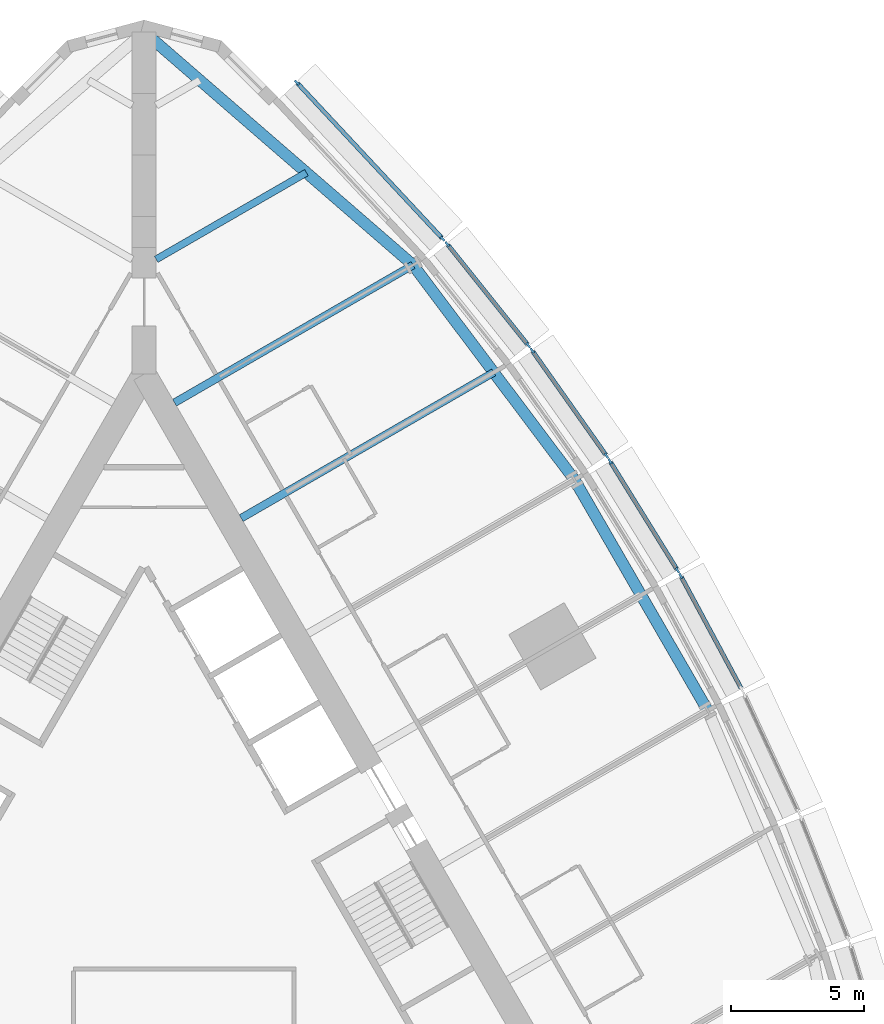
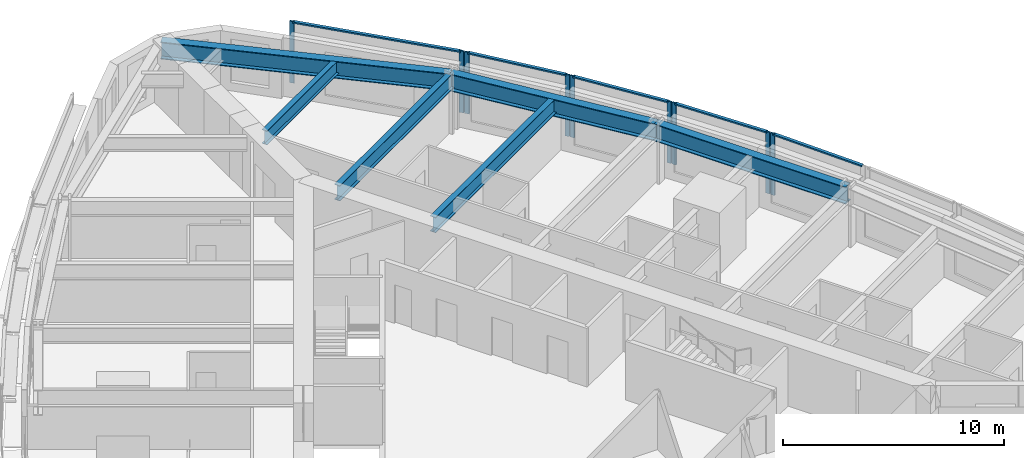
# One storey, part 5 of 14: 14 members, 6 beams, 5 elements without a shape of their own.
"""IFC4 building model written with IfcOpenShell, lengths in metres."""

import ifcopenshell
import ifcopenshell.guid

model = None  # the IFC model being written
_history = None  # IfcOwnerHistory: only IFC2X3 demands one
_inside = {}  # id of a spatial element -> (the spatial element, [elements in it])
_under = {}  # id of a project, library or spatial element -> (it, [spatial elements below it])
_declared = {}  # id of a project -> (the project, [libraries it declares])
_typed = {}  # id of a type object -> (the type object, [elements of that type])
_made_of = {}  # id of a material, layer set ... -> (it, [elements and type objects made of it])


def new_model(schema):
    """Start an empty IFC model of exactly this schema.

    Asked for "IFC4X3", IfcOpenShell would pick the latest addendum, in which some entities
    have other attributes; the version numbers below select the first issue.
    IFC2X3 requires an IfcOwnerHistory on every rooted entity: one is made here for all.
    """
    global model, _history
    if schema == "IFC4X3":
        model = ifcopenshell.file(schema_version=(4, 3, 0, 0))
    else:
        model = ifcopenshell.file(schema=schema)
    _inside.clear()
    _under.clear()
    _declared.clear()
    _typed.clear()
    _made_of.clear()
    _history = None
    if model.schema == "IFC2X3":
        org = make("IfcOrganization", Name="unknown")
        user = make(
            "IfcPersonAndOrganization",
            ThePerson=make("IfcPerson", FamilyName="unknown"),
            TheOrganization=org,
        )
        app = make(
            "IfcApplication",
            ApplicationDeveloper=org,
            Version="unknown",
            ApplicationFullName="unknown",
            ApplicationIdentifier="unknown",
        )
        _history = make(
            "IfcOwnerHistory",
            OwningUser=user,
            OwningApplication=app,
            ChangeAction="ADDED",
            CreationDate=0,
        )
    return model


def make(cls, **values):
    """One entity of the class cls with the attributes given. An attribute that is None is left unset."""
    return model.create_entity(
        cls, **{name: value for name, value in values.items() if value is not None}
    )


def rooted(cls, **values):
    """An entity with a GlobalId (a new one), such as an element, a storey or a relation."""
    return make(cls, GlobalId=ifcopenshell.guid.new(), OwnerHistory=_history, **values)


def si_unit(unit_type, name, prefix=None):
    """IfcSIUnit, for example si_unit("LENGTHUNIT", "METRE", prefix="MILLI")."""
    return make("IfcSIUnit", UnitType=unit_type, Prefix=prefix, Name=name)


def assignment(units):
    """IfcUnitAssignment: the units of a project."""
    return None if units is None else make("IfcUnitAssignment", Units=units)


def point(xyz):
    """IfcCartesianPoint."""
    return None if xyz is None else make("IfcCartesianPoint", Coordinates=xyz)


def direction(xyz):
    """IfcDirection."""
    return None if xyz is None else make("IfcDirection", DirectionRatios=xyz)


def frame(location, z_axis=None, x_axis=None):
    """IfcAxis2Placement3D, a coordinate frame: its origin and axes. An axis left out is left unset."""
    return make(
        "IfcAxis2Placement3D",
        Location=point(location),
        Axis=direction(z_axis),
        RefDirection=direction(x_axis),
    )


def frame_2d(location, x_axis=None):
    """IfcAxis2Placement2D, a coordinate frame in the plane: its origin and x axis."""
    return make(
        "IfcAxis2Placement2D", Location=point(location), RefDirection=direction(x_axis)
    )


def origin():
    """The frame at (0, 0, 0) with its axes left unset."""
    return frame((0.0, 0.0, 0.0))


def origin_2d():
    """The frame at (0, 0) in the plane with its x axis left unset."""
    return frame_2d((0.0, 0.0))


def place(relative_to, where):
    """IfcLocalPlacement: puts the frame where relative to a parent placement (None: the world)."""
    return make(
        "IfcLocalPlacement", PlacementRelTo=relative_to, RelativePlacement=where
    )


def context(
    kind, dimensions, precision=None, world=None, true_north=None, identifier=None
):
    """IfcGeometricRepresentationContext, for example the 3D "Model" context."""
    return make(
        "IfcGeometricRepresentationContext",
        ContextIdentifier=identifier,
        ContextType=kind,
        CoordinateSpaceDimension=dimensions,
        Precision=precision,
        WorldCoordinateSystem=world,
        TrueNorth=true_north,
    )


def subcontext(parent, identifier, kind, view, scale=None):
    """IfcGeometricRepresentationSubContext, for example "Body" below "Model"."""
    return make(
        "IfcGeometricRepresentationSubContext",
        ContextIdentifier=identifier,
        ContextType=kind,
        ParentContext=parent,
        TargetScale=scale,
        TargetView=view,
    )


def project(units=None, contexts=None):
    """IfcProject with its units and contexts."""
    return rooted(
        "IfcProject",
        Name="project",
        RepresentationContexts=contexts,
        UnitsInContext=assignment(units),
    )


def spatial(cls, under=None, at=None, **own):
    """A site, building, storey or space (cls), placed at a placement, below another one or the project."""
    s = rooted(cls, ObjectPlacement=at, **own)
    if under is not None:
        _under.setdefault(under.id(), (under, []))[1].append(s)
    return s


def profile(cls, at=None, kind="AREA", **sizes):
    """A parametric profile (cls). Its sizes go by their IFC names, for example OverallWidth=200.0."""
    return make(cls, ProfileType=kind, Position=at, **sizes)


def rectangle(**sizes):
    """IfcRectangleProfileDef."""
    return profile("IfcRectangleProfileDef", **sizes)


def i_section(**sizes):
    """IfcIShapeProfileDef."""
    return profile("IfcIShapeProfileDef", **sizes)


def extrude(swept, where, along, depth):
    """IfcExtrudedAreaSolid: the profile swept, set in the frame where, extruded along a direction by depth."""
    return make(
        "IfcExtrudedAreaSolid",
        SweptArea=swept,
        Position=where,
        ExtrudedDirection=direction(along),
        Depth=depth,
    )


def shape(context_of_items, identifier, shape_type, items):
    """IfcShapeRepresentation: the items that make up one representation, for example the "Body"."""
    return make(
        "IfcShapeRepresentation",
        ContextOfItems=context_of_items,
        RepresentationIdentifier=identifier,
        RepresentationType=shape_type,
        Items=items,
    )


def material(Name=None, Category=None):
    """IfcMaterial."""
    return make("IfcMaterial", Name=Name, Category=Category)


def material_profile(
    of_material, cross_section, Name=None, Category=None, Priority=None
):
    """IfcMaterialProfile: a cross section and its material."""
    return make(
        "IfcMaterialProfile",
        Name=Name,
        Material=of_material,
        Profile=cross_section,
        Priority=Priority,
        Category=Category,
    )


def profile_set(profiles, Name=None, composite=None):
    """IfcMaterialProfileSet."""
    return make(
        "IfcMaterialProfileSet",
        Name=Name,
        MaterialProfiles=profiles,
        CompositeProfile=composite,
    )


def made_of(thing, what):
    """Note that an element or type object is made of a material, layer set ...; save() writes the relation."""
    if what is not None:
        _made_of.setdefault(what.id(), (what, []))[1].append(thing)
    return thing


def type_object(cls, material=None, **own):
    """A type object (cls), such as IfcWallType, which elements share."""
    return made_of(rooted(cls, **own), material)


def element(
    cls,
    number,
    at=None,
    inside=None,
    cuts=None,
    type_object=None,
    material=None,
    context=None,
    identifier="Body",
    shape_type=None,
    held_by="IfcProductDefinitionShape",
    body=None,
    shapes=None,
    **own,
):
    """One element of the class cls, such as IfcWall. Its Tag is "e" and its number.

    at: its placement. inside: the storey or other place that contains it. cuts: it is an
    opening in that element (IfcRelVoidsElement). A single representation is given by context,
    identifier, shape_type and body (its items); several are given by shapes. held_by: the class
    of the entity that holds the representations. save() writes the other relations.
    """
    e = rooted(cls, Tag="e%d" % number, ObjectPlacement=at, **own)
    if body is not None:
        shapes = [shape(context, identifier, shape_type, body)]
    if shapes is not None:
        e.Representation = make(held_by, Representations=shapes)
    if inside is not None:
        _inside.setdefault(inside.id(), (inside, []))[1].append(e)
    if cuts is not None:
        rooted(
            "IfcRelVoidsElement", RelatingBuildingElement=cuts, RelatedOpeningElement=e
        )
    if type_object is not None:
        _typed.setdefault(type_object.id(), (type_object, []))[1].append(e)
    return made_of(e, material)


def aggregate(whole, parts):
    """IfcRelAggregates: a whole, such as a stair, and the parts it consists of."""
    return rooted("IfcRelAggregates", RelatingObject=whole, RelatedObjects=parts)


def save(model, path):
    """Write the relations noted so far, then the file.

    IfcRelAggregates (storeys below a building ...), IfcRelContainedInSpatialStructure (elements
    in a storey), IfcRelDefinesByType, IfcRelAssociatesMaterial and IfcRelDeclares: one each for
    every whole, place, type object, material and project.
    """
    for whole, parts in _under.values():
        aggregate(whole, parts)
    for where, things in _inside.values():
        rooted(
            "IfcRelContainedInSpatialStructure",
            RelatedElements=things,
            RelatingStructure=where,
        )
    for kind, things in _typed.values():
        rooted("IfcRelDefinesByType", RelatedObjects=things, RelatingType=kind)
    for what, things in _made_of.values():
        rooted("IfcRelAssociatesMaterial", RelatedObjects=things, RelatingMaterial=what)
    for by, libraries in _declared.values():
        rooted("IfcRelDeclares", RelatingContext=by, RelatedDefinitions=libraries)
    model.write(path)


model = new_model("IFC4")

# Units and contexts
model_context = context("Model", 3, precision=1e-05, world=origin(), true_north=direction((0.0, 1.0)))
body_context = subcontext(model_context, "Body", "Model", "MODEL_VIEW")
ifc_project = project(units=[si_unit("LENGTHUNIT", "METRE"), si_unit("AREAUNIT", "SQUARE_METRE"), si_unit("VOLUMEUNIT", "CUBIC_METRE"), si_unit("PLANEANGLEUNIT", "RADIAN"), si_unit("MASSUNIT", "GRAM", prefix="KILO")], contexts=[model_context])

# Site, building, storey
site_placement = place(None, origin())
site = spatial("IfcSite", under=ifc_project, at=site_placement, CompositionType="ELEMENT")
building_placement = place(site_placement, origin())
building = spatial("IfcBuilding", under=site, at=building_placement, Name="Trikona Tower", CompositionType="ELEMENT")
storey_placement = place(building_placement, frame((0.0, 0.0, 35.300048828125)))
storey = spatial("IfcBuildingStorey", under=building, at=storey_placement, Name="L07", CompositionType="ELEMENT", Elevation=35.300048828125)

# Curtain wall, member
ifc_material_1 = material(Name="Aluminium curtain wall system", Category="aluminium")
curtain_wall_type = type_object("IfcCurtainWallType", Name="Curtain wall DS1", PredefinedType="NOTDEFINED", material=ifc_material_1)
curtain_wall_1_placement = place(storey_placement, origin())
curtain_wall_1 = element("IfcCurtainWall", 1, at=curtain_wall_1_placement, inside=storey, type_object=curtain_wall_type, Name="Curtain wall DS1 L07", PredefinedType="NOTDEFINED")
ifc_material_2 = material(Name="Aluminium mullion, pale anodised", Category="aluminium")
ifc_material_profile_1 = material_profile(ifc_material_2, rectangle(XDim=0.080078125, YDim=0.219970703125, at=origin_2d()), Name="MUL-DS1")
ifc_profile_set_1 = profile_set([ifc_material_profile_1], Name="Aluminium mullion, pale anodised")
member_type_1 = type_object("IfcMemberType", Name="Mullion DS1 80x220", PredefinedType="MULLION", material=ifc_profile_set_1)
member_1_placement = place(storey_placement, frame((20.128662109375, 11.474365234375, 0.0), z_axis=(0.0, 0.0, 1.0), x_axis=(-0.880843080975, -0.473408350896, 0.0)))
member_1 = element("IfcMember", 2, at=member_1_placement, type_object=member_type_1, Name="CW-DS1 mullion 2", PredefinedType="MULLION", context=body_context, shape_type="SweptSolid", body=[
    extrude(rectangle(XDim=0.080078125, YDim=0.219970703125, at=origin_2d()), origin(), (0.0, 0.0, 1.0), 3.39990234375),
])

# Curtain wall, members
curtain_wall_2_placement = place(storey_placement, origin())
curtain_wall_2 = element("IfcCurtainWall", 3, at=curtain_wall_2_placement, inside=storey, type_object=curtain_wall_type, Name="Curtain wall DS1 L07", PredefinedType="NOTDEFINED")
member_2_placement = place(storey_placement, frame((20.00146484375, 11.69482421875, 0.0), z_axis=(0.0, 0.0, 1.0), x_axis=(-0.850410468941, -0.526119790842, 0.0)))
member_2 = element("IfcMember", 4, at=member_2_placement, type_object=member_type_1, Name="CW-DS1 mullion 1", PredefinedType="MULLION", context=body_context, shape_type="SweptSolid", body=[
    extrude(rectangle(XDim=0.080078125, YDim=0.219970703125, at=origin_2d()), origin(), (0.0, 0.0, 1.0), 3.39990234375),
])
member_3_placement = place(storey_placement, frame((17.474853515625, 15.77880859375, 0.0), z_axis=(0.0, 0.0, 1.0), x_axis=(-0.850410468941, -0.526119790842, 0.0)))
member_3 = element("IfcMember", 5, at=member_3_placement, type_object=member_type_1, Name="CW-DS1 mullion 2", PredefinedType="MULLION", context=body_context, shape_type="SweptSolid", body=[
    extrude(rectangle(XDim=0.080078125, YDim=0.219970703125, at=origin_2d()), origin(), (0.0, 0.0, 1.0), 3.39990234375),
])

curtain_wall_3_placement = place(storey_placement, origin())
curtain_wall_3 = element("IfcCurtainWall", 6, at=curtain_wall_3_placement, inside=storey, type_object=curtain_wall_type, Name="Curtain wall DS1 L07", PredefinedType="NOTDEFINED")
member_4_placement = place(storey_placement, frame((17.33447265625, 15.990966796875, 0.0), z_axis=(0.0, 0.0, 1.0), x_axis=(-0.816985393055, -0.576658362928, 0.0)))
member_4 = element("IfcMember", 7, at=member_4_placement, type_object=member_type_1, Name="CW-DS1 mullion 1", PredefinedType="MULLION", context=body_context, shape_type="SweptSolid", body=[
    extrude(rectangle(XDim=0.080078125, YDim=0.219970703125, at=origin_2d()), origin(), (0.0, 0.0, 1.0), 3.39990234375),
])
member_5_placement = place(storey_placement, frame((14.554443359375, 19.929443359375, 0.0), z_axis=(0.0, 0.0, 1.0), x_axis=(-0.816985393055, -0.576658362928, 0.0)))
member_5 = element("IfcMember", 8, at=member_5_placement, type_object=member_type_1, Name="CW-DS1 mullion 2", PredefinedType="MULLION", context=body_context, shape_type="SweptSolid", body=[
    extrude(rectangle(XDim=0.080078125, YDim=0.219970703125, at=origin_2d()), origin(), (0.0, 0.0, 1.0), 3.39990234375),
])

curtain_wall_4_placement = place(storey_placement, origin())
curtain_wall_4 = element("IfcCurtainWall", 9, at=curtain_wall_4_placement, inside=storey, type_object=curtain_wall_type, Name="Curtain wall DS1 L07", PredefinedType="NOTDEFINED")
member_6_placement = place(storey_placement, frame((14.40185546875, 20.13232421875, 0.0), z_axis=(0.0, 0.0, 1.0), x_axis=(-0.780937959679, -0.624608599951, 0.0)))
member_6 = element("IfcMember", 10, at=member_6_placement, type_object=member_type_1, Name="CW-DS1 mullion 1", PredefinedType="MULLION", context=body_context, shape_type="SweptSolid", body=[
    extrude(rectangle(XDim=0.080078125, YDim=0.219970703125, at=origin_2d()), origin(), (0.0, 0.0, 1.0), 3.39990234375),
])
member_7_placement = place(storey_placement, frame((11.36767578125, 23.926025390625, 0.0), z_axis=(0.0, 0.0, 1.0), x_axis=(-0.780937959679, -0.624608599951, 0.0)))
member_7 = element("IfcMember", 11, at=member_7_placement, type_object=member_type_1, Name="CW-DS1 mullion 2", PredefinedType="MULLION", context=body_context, shape_type="SweptSolid", body=[
    extrude(rectangle(XDim=0.080078125, YDim=0.219970703125, at=origin_2d()), origin(), (0.0, 0.0, 1.0), 3.39990234375),
])

curtain_wall_5_placement = place(storey_placement, origin())
curtain_wall_5 = element("IfcCurtainWall", 12, at=curtain_wall_5_placement, inside=storey, type_object=curtain_wall_type, Name="Curtain wall DS1 L07", PredefinedType="NOTDEFINED")
member_8_placement = place(storey_placement, frame((11.192138671875, 24.129150390625, 0.0), z_axis=(0.0, 0.0, 1.0), x_axis=(-0.731076639405, -0.682295351967, 0.0)))
member_8 = element("IfcMember", 13, at=member_8_placement, type_object=member_type_1, Name="CW-DS1 mullion 1", PredefinedType="MULLION", context=body_context, shape_type="SweptSolid", body=[
    extrude(rectangle(XDim=0.080078125, YDim=0.219970703125, at=origin_2d()), origin(), (0.0, 0.0, 1.0), 3.39990234375),
])
member_9_placement = place(storey_placement, frame((5.72607421875, 29.98583984375, 0.0), z_axis=(0.0, 0.0, 1.0), x_axis=(-0.731076639405, -0.682295351967, 0.0)))
member_9 = element("IfcMember", 14, at=member_9_placement, type_object=member_type_1, Name="CW-DS1 mullion 2", PredefinedType="MULLION", context=body_context, shape_type="SweptSolid", body=[
    extrude(rectangle(XDim=0.080078125, YDim=0.219970703125, at=origin_2d()), origin(), (0.0, 0.0, 1.0), 3.39990234375),
])

# Beams
ifc_material_3 = material(Name="Steel ASTM A992 Grade 50", Category="steel")
ifc_material_profile_2 = material_profile(ifc_material_3, i_section(OverallWidth=0.2666015625, OverallDepth=0.76953125, WebThickness=0.015625, FlangeThickness=0.025390625, at=origin_2d()), Name="W30X132")
ifc_profile_set_2 = profile_set([ifc_material_profile_2], Name="Steel ASTM A992 Grade 50")
beam_type_1 = type_object("IfcBeamType", Name="Steel beam W30x132 (wedge)", PredefinedType="BEAM", material=ifc_profile_set_2)
beam_1_placement = place(storey_placement, frame((0.449951171875, 23.353759765625, 2.85009765625), z_axis=(0.866022504693, 0.50000502134, 0.0), x_axis=(-0.50000502134, 0.866022504693, 0.0)))
element("IfcBeam", 15, at=beam_1_placement, inside=storey, type_object=beam_type_1, Name="Floor beam L08 F2 u20", PredefinedType="BEAM", context=body_context, shape_type="SweptSolid", body=[
    extrude(i_section(OverallWidth=0.2666015625, OverallDepth=0.76953125, WebThickness=0.015625, FlangeThickness=0.025390625, at=origin_2d()), origin(), (0.0, 0.0, 1.0), 6.5068359375),
])
ifc_material_4 = material(Name="Steel ASTM A992 Grade 50", Category="steel")
ifc_material_profile_3 = material_profile(ifc_material_4, i_section(OverallWidth=0.2919921875, OverallDepth=0.845703125, WebThickness=0.015380859375, FlangeThickness=0.0244140625, at=origin_2d()), Name="W33X141")
ifc_profile_set_3 = profile_set([ifc_material_profile_3], Name="Steel ASTM A992 Grade 50")
beam_type_2 = type_object("IfcBeamType", Name="Steel beam W33x141 (radial typ)", PredefinedType="BEAM", material=ifc_profile_set_3)
beam_2_placement = place(storey_placement, frame((3.6396484375, 13.6484375, 2.81201171875), z_axis=(0.866025348605, 0.500000095573, 0.0), x_axis=(-0.500000095573, 0.866025348605, 0.0)))
element("IfcBeam", 16, at=beam_2_placement, inside=storey, type_object=beam_type_2, Name="Floor beam L08 F2 u10", PredefinedType="BEAM", context=body_context, shape_type="SweptSolid", body=[
    extrude(i_section(OverallWidth=0.2919921875, OverallDepth=0.845703125, WebThickness=0.015380859375, FlangeThickness=0.0244140625, at=origin_2d()), origin(), (0.0, 0.0, 1.0), 10.935546875),
])
beam_3_placement = place(storey_placement, frame((1.1396484375, 17.978515625, 2.81201171875), z_axis=(0.866030471684, 0.499991222037, 0.0), x_axis=(-0.499991222037, 0.866030471684, 0.0)))
element("IfcBeam", 17, at=beam_3_placement, inside=storey, type_object=beam_type_2, Name="Floor beam L08 F2 u15", PredefinedType="BEAM", context=body_context, shape_type="SweptSolid", body=[
    extrude(i_section(OverallWidth=0.2919921875, OverallDepth=0.845703125, WebThickness=0.015380859375, FlangeThickness=0.0244140625, at=origin_2d()), origin(), (0.0, 0.0, 1.0), 10.326904296875),
])
ifc_material_5 = material(Name="Steel ASTM A992 Grade 50", Category="steel")
ifc_material_profile_4 = material_profile(ifc_material_5, i_section(OverallWidth=0.424072265625, OverallDepth=0.947509765625, WebThickness=0.02392578125, FlangeThickness=0.042724609375, at=origin_2d()), Name="W36X302")
ifc_profile_set_4 = profile_set([ifc_material_profile_4], Name="Steel ASTM A992 Grade 50")
beam_type_3 = type_object("IfcBeamType", Name="Steel beam W36x302 (spandrel)", PredefinedType="SPANDREL", material=ifc_profile_set_4)
beam_4_placement = place(storey_placement, frame((21.13720703125, 6.43017578125, 2.76123046875), z_axis=(-0.500004234368, 0.866022959057, 0.0), x_axis=(-0.866022959057, -0.500004234368, 0.0)))
element("IfcBeam", 18, at=beam_4_placement, inside=storey, type_object=beam_type_3, Name="Spandrel beam L08 F2-3", PredefinedType="SPANDREL", context=body_context, shape_type="SweptSolid", body=[
    extrude(i_section(OverallWidth=0.424072265625, OverallDepth=0.947509765625, WebThickness=0.02392578125, FlangeThickness=0.042724609375, at=origin_2d()), origin(), (0.0, 0.0, 1.0), 10.0),
])
beam_5_placement = place(storey_placement, frame((16.13720703125, 15.09033203125, 2.76123046875), z_axis=(-0.600988344191, 0.799257787042, 0.0), x_axis=(-0.799257787042, -0.600988344191, 0.0)))
element("IfcBeam", 19, at=beam_5_placement, inside=storey, type_object=beam_type_3, Name="Spandrel beam L08 F2-4", PredefinedType="SPANDREL", context=body_context, shape_type="SweptSolid", body=[
    extrude(i_section(OverallWidth=0.424072265625, OverallDepth=0.947509765625, WebThickness=0.02392578125, FlangeThickness=0.042724609375, at=origin_2d()), origin(), (0.0, 0.0, 1.0), 10.07373046875),
])
beam_6_placement = place(storey_placement, frame((10.0830078125, 23.141845703125, 2.76123046875), z_axis=(-0.755646822726, 0.654979296851, 0.0), x_axis=(-0.654979296851, -0.755646822726, 0.0)))
element("IfcBeam", 20, at=beam_6_placement, inside=storey, type_object=beam_type_3, Name="Spandrel beam L08 F2-5", PredefinedType="SPANDREL", context=body_context, shape_type="SweptSolid", body=[
    extrude(i_section(OverallWidth=0.424072265625, OverallDepth=0.947509765625, WebThickness=0.02392578125, FlangeThickness=0.042724609375, at=origin_2d()), origin(), (0.0, 0.0, 1.0), 13.343505859375),
])

# Member
ifc_material_6 = material(Name="Aluminium transom, pale anodised", Category="aluminium")
ifc_material_profile_5 = material_profile(ifc_material_6, rectangle(XDim=0.159912109375, YDim=0.080078125, at=origin_2d()), Name="TRN-DS1")
ifc_profile_set_5 = profile_set([ifc_material_profile_5], Name="Aluminium transom, pale anodised")
member_type_2 = type_object("IfcMemberType", Name="Transom DS1 80x160", PredefinedType="USERDEFINED", material=ifc_profile_set_5)
member_10_placement = place(storey_placement, frame((22.38330078125, 7.279541015625, 3.35986328125), z_axis=(-0.473427569755, 0.880832751546, 0.0), x_axis=(-0.880832751546, -0.473427569755, 0.0)))
member_10 = element("IfcMember", 21, at=member_10_placement, type_object=member_type_2, Name="CW-DS1 transom 1.1", ObjectType="TRANSOM", PredefinedType="USERDEFINED", context=body_context, shape_type="SweptSolid", body=[
    extrude(rectangle(XDim=0.159912109375, YDim=0.080078125, at=origin_2d()), origin(), (0.0, 0.0, 1.0), 4.72216796875),
])

aggregate(curtain_wall_1, [member_1, member_10])

member_11_placement = place(storey_placement, frame((19.980224609375, 11.728759765625, 3.35986328125), z_axis=(-0.526080502257, 0.850434774186, 0.0), x_axis=(-0.850434774186, -0.526080502257, 0.0)))
member_11 = element("IfcMember", 22, at=member_11_placement, type_object=member_type_2, Name="CW-DS1 transom 1.1", ObjectType="TRANSOM", PredefinedType="USERDEFINED", context=body_context, shape_type="SweptSolid", body=[
    extrude(rectangle(XDim=0.159912109375, YDim=0.080078125, at=origin_2d()), origin(), (0.0, 0.0, 1.0), 4.722412109375),
])

aggregate(curtain_wall_2, [member_2, member_3, member_11])

member_12_placement = place(storey_placement, frame((17.311279296875, 16.023681640625, 3.35986328125), z_axis=(-0.57664478015, 0.816994980111, 0.0), x_axis=(-0.816994980111, -0.57664478015, 0.0)))
member_12 = element("IfcMember", 23, at=member_12_placement, type_object=member_type_2, Name="CW-DS1 transom 1.1", ObjectType="TRANSOM", PredefinedType="USERDEFINED", context=body_context, shape_type="SweptSolid", body=[
    extrude(rectangle(XDim=0.159912109375, YDim=0.080078125, at=origin_2d()), origin(), (0.0, 0.0, 1.0), 4.740478515625),
])

aggregate(curtain_wall_3, [member_4, member_5, member_12])

member_13_placement = place(storey_placement, frame((14.376953125, 20.16357421875, 3.35986328125), z_axis=(-0.624589103832, 0.780953552636, 0.0), x_axis=(-0.780953552636, -0.624589103832, 0.0)))
member_13 = element("IfcMember", 24, at=member_13_placement, type_object=member_type_2, Name="CW-DS1 transom 1.1", ObjectType="TRANSOM", PredefinedType="USERDEFINED", context=body_context, shape_type="SweptSolid", body=[
    extrude(rectangle(XDim=0.159912109375, YDim=0.080078125, at=origin_2d()), origin(), (0.0, 0.0, 1.0), 4.77783203125),
])

aggregate(curtain_wall_4, [member_6, member_7, member_13])

member_14_placement = place(storey_placement, frame((11.164794921875, 24.158203125, 3.35986328125), z_axis=(-0.682290830921, 0.731080858758, 0.0), x_axis=(-0.731080858758, -0.682290830921, 0.0)))
member_14 = element("IfcMember", 25, at=member_14_placement, type_object=member_type_2, Name="CW-DS1 transom 1.1", ObjectType="TRANSOM", PredefinedType="USERDEFINED", context=body_context, shape_type="SweptSolid", body=[
    extrude(rectangle(XDim=0.159912109375, YDim=0.080078125, at=origin_2d()), origin(), (0.0, 0.0, 1.0), 7.93115234375),
])

aggregate(curtain_wall_5, [member_8, member_9, member_14])

save(model, "model.ifc")
